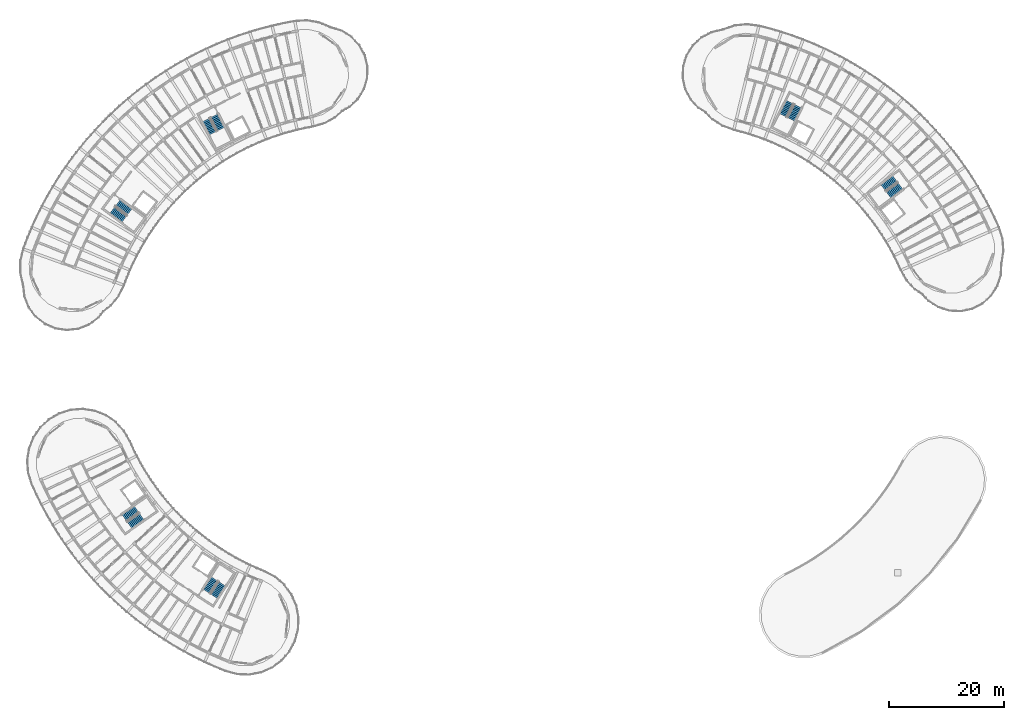
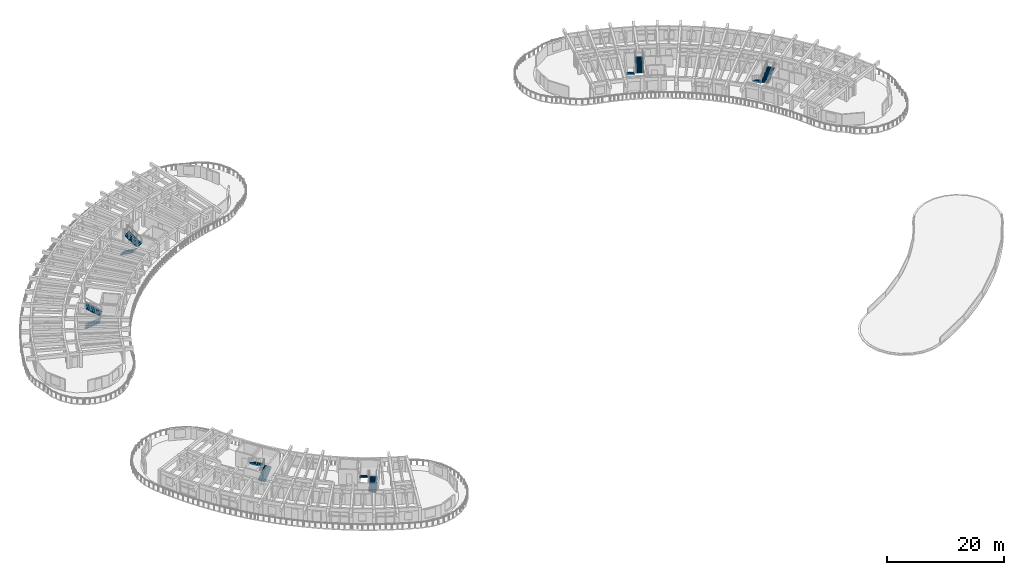
# One storey, part 45 of 62: 12 stair flights, 6 elements without a shape of their own.
"""IFC4 building model written with IfcOpenShell, lengths in metres."""

from ifc_helpers import new_model, si_unit, direction, frame, origin, place, context, subcontext, project, spatial, polyline, outline, extrude, material, layer, layer_set, type_object, element, aggregate, save


model = new_model("IFC4")

# Units and contexts
model_context = context("Model", 3, precision=1e-05, world=origin(), true_north=direction((0.0, 1.0)))
body_context = subcontext(model_context, "Body", "Model", "MODEL_VIEW")
ifc_project = project(units=[si_unit("LENGTHUNIT", "METRE"), si_unit("AREAUNIT", "SQUARE_METRE"), si_unit("VOLUMEUNIT", "CUBIC_METRE"), si_unit("PLANEANGLEUNIT", "RADIAN"), si_unit("MASSUNIT", "GRAM", prefix="KILO")], contexts=[model_context])

# Site, building, storey
site_placement = place(None, origin())
site = spatial("IfcSite", under=ifc_project, at=site_placement, CompositionType="ELEMENT")
building_placement = place(site_placement, origin())
building = spatial("IfcBuilding", under=site, at=building_placement, Name="Tanwirah Colonnade Gardens", CompositionType="ELEMENT")
storey_placement = place(building_placement, frame((0.0, 0.0, 32.360107421875)))
storey = spatial("IfcBuildingStorey", under=building, at=storey_placement, Name="L09", CompositionType="ELEMENT", Elevation=32.360107421875)

# Stair, stair flights
ifc_material = material(Name="Precast concrete C40/50", Category="concrete")
stair_type = type_object("IfcStairType", Name="ST-RES168", PredefinedType="HALF_TURN_STAIR", material=ifc_material)
stair_1_placement = place(storey_placement, origin())
stair_1 = element("IfcStair", 1, at=stair_1_placement, inside=storey, type_object=stair_type, Name="L09 Block A Core 1 Exit Stair", PredefinedType="HALF_TURN_STAIR")
ifc_layer = layer(ifc_material, 0.14990234375)
ifc_layer_set = layer_set([ifc_layer], Name="Precast concrete C40/50")
stair_flight_type = type_object("IfcStairFlightType", Name="FLT-RES150", PredefinedType="STRAIGHT", material=ifc_layer_set)
stair_flight_1_placement = place(storey_placement, frame((39.148681640625, 103.425048828125, 0.0), z_axis=(0.0, 0.0, 1.0), x_axis=(0.45399049974, -0.891006524188, 0.0)))
stair_flight_1 = element("IfcStairFlight", 2, at=stair_flight_1_placement, type_object=stair_flight_type, Name="ST-A1 flight 1", NumberOfRisers=10, NumberOfTreads=9, PredefinedType="STRAIGHT", RiserHeight=0.168, TreadLength=0.285, context=body_context, shape_type="SweptSolid", body=[
    extrude(outline(polyline([(-0.0048828125, 0.0), (0.0, 0.16796875), (0.284912109375, 0.16796875), (0.284912109375, 0.3359375), (0.570068359375, 0.3359375), (0.570068359375, 0.50390625), (0.85498046875, 0.50390625), (0.85498046875, 0.672119140625), (1.139892578125, 0.672119140625), (1.139892578125, 0.840087890625), (1.425048828125, 0.840087890625), (1.425048828125, 1.008056640625), (1.7099609375, 1.008056640625), (1.7099609375, 1.176025390625), (1.9951171875, 1.176025390625), (1.9951171875, 1.343994140625), (2.280029296875, 1.343994140625), (2.280029296875, 1.511962890625), (2.56494140625, 1.511962890625), (2.570068359375, 1.679931640625), (2.570068359375, 1.337890625), (0.30029296875, 0.0), (-0.0048828125, 0.0)])), frame((0.0, 0.68994140625, 0.0), z_axis=(0.0, -1.0, 0.0), x_axis=(1.0, 0.0, 0.0)), (0.0, 0.0, 1.0), 1.3798828125),
])
stair_flight_2_placement = place(storey_placement, frame((41.685302734375, 101.838623046875, 1.679931640625), z_axis=(0.0, 0.0, 1.0), x_axis=(-0.45399049974, 0.891006524188, 0.0)))
stair_flight_2 = element("IfcStairFlight", 3, at=stair_flight_2_placement, type_object=stair_flight_type, Name="ST-A1 flight 2", NumberOfRisers=10, NumberOfTreads=9, PredefinedType="STRAIGHT", RiserHeight=0.168, TreadLength=0.285, context=body_context, shape_type="SweptSolid", body=[
    extrude(outline(polyline([(-0.0048828125, 0.0), (0.0, 0.16796875), (0.284912109375, 0.16796875), (0.284912109375, 0.3359375), (0.570068359375, 0.3359375), (0.570068359375, 0.50390625), (0.85498046875, 0.50390625), (0.85498046875, 0.672119140625), (1.139892578125, 0.672119140625), (1.139892578125, 0.840087890625), (1.425048828125, 0.840087890625), (1.425048828125, 1.008056640625), (1.7099609375, 1.008056640625), (1.7099609375, 1.176025390625), (1.9951171875, 1.176025390625), (1.9951171875, 1.343994140625), (2.280029296875, 1.343994140625), (2.280029296875, 1.511962890625), (2.56494140625, 1.511962890625), (2.570068359375, 1.679931640625), (2.570068359375, 1.337890625), (0.30029296875, 0.0), (-0.0048828125, 0.0)])), frame((0.0, 0.68994140625, 0.0), z_axis=(0.0, -1.0, 0.0), x_axis=(1.0, 0.0, 0.0)), (0.0, 0.0, 1.0), 1.3798828125),
])
aggregate(stair_1, [stair_flight_1, stair_flight_2])

stair_2_placement = place(storey_placement, origin())
stair_2 = element("IfcStair", 4, at=stair_2_placement, inside=storey, type_object=stair_type, Name="L09 Block A Core 2 Exit Stair", PredefinedType="HALF_TURN_STAIR")
stair_flight_3_placement = place(storey_placement, frame((22.81640625, 87.7177734375, 0.0), z_axis=(0.0, 0.0, 1.0), x_axis=(0.798635510047, -0.601815023152, 0.0)))
stair_flight_3 = element("IfcStairFlight", 5, at=stair_flight_3_placement, type_object=stair_flight_type, Name="ST-A2 flight 1", NumberOfRisers=10, NumberOfTreads=9, PredefinedType="STRAIGHT", RiserHeight=0.168, TreadLength=0.285, context=body_context, shape_type="SweptSolid", body=[
    extrude(outline(polyline([(-0.0048828125, 0.0), (0.0, 0.16796875), (0.284912109375, 0.16796875), (0.284912109375, 0.3359375), (0.570068359375, 0.3359375), (0.570068359375, 0.50390625), (0.85498046875, 0.50390625), (0.85498046875, 0.672119140625), (1.139892578125, 0.672119140625), (1.139892578125, 0.840087890625), (1.425048828125, 0.840087890625), (1.425048828125, 1.008056640625), (1.7099609375, 1.008056640625), (1.7099609375, 1.176025390625), (1.9951171875, 1.176025390625), (1.9951171875, 1.343994140625), (2.280029296875, 1.343994140625), (2.280029296875, 1.511962890625), (2.56494140625, 1.511962890625), (2.570068359375, 1.679931640625), (2.570068359375, 1.337890625), (0.30029296875, 0.0), (-0.0048828125, 0.0)])), frame((0.0, 0.68994140625, 0.0), z_axis=(0.0, -1.0, 0.0), x_axis=(1.0, 0.0, 0.0)), (0.0, 0.0, 1.0), 1.3798828125),
])
stair_flight_4_placement = place(storey_placement, frame((25.791748046875, 87.404052734375, 1.679931640625), z_axis=(0.0, 0.0, 1.0), x_axis=(-0.798635510047, 0.601815023152, 0.0)))
stair_flight_4 = element("IfcStairFlight", 6, at=stair_flight_4_placement, type_object=stair_flight_type, Name="ST-A2 flight 2", NumberOfRisers=10, NumberOfTreads=9, PredefinedType="STRAIGHT", RiserHeight=0.168, TreadLength=0.285, context=body_context, shape_type="SweptSolid", body=[
    extrude(outline(polyline([(-0.0048828125, 0.0), (0.0, 0.16796875), (0.284912109375, 0.16796875), (0.284912109375, 0.3359375), (0.570068359375, 0.3359375), (0.570068359375, 0.50390625), (0.85498046875, 0.50390625), (0.85498046875, 0.672119140625), (1.139892578125, 0.672119140625), (1.139892578125, 0.840087890625), (1.425048828125, 0.840087890625), (1.425048828125, 1.008056640625), (1.7099609375, 1.008056640625), (1.7099609375, 1.176025390625), (1.9951171875, 1.176025390625), (1.9951171875, 1.343994140625), (2.280029296875, 1.343994140625), (2.280029296875, 1.511962890625), (2.56494140625, 1.511962890625), (2.570068359375, 1.679931640625), (2.570068359375, 1.337890625), (0.30029296875, 0.0), (-0.0048828125, 0.0)])), frame((0.0, 0.68994140625, 0.0), z_axis=(0.0, -1.0, 0.0), x_axis=(1.0, 0.0, 0.0)), (0.0, 0.0, 1.0), 1.3798828125),
])
aggregate(stair_2, [stair_flight_3, stair_flight_4])

stair_3_placement = place(storey_placement, origin())
stair_3 = element("IfcStair", 7, at=stair_3_placement, inside=storey, type_object=stair_type, Name="L09 Block B Core 1 Exit Stair", PredefinedType="HALF_TURN_STAIR")
stair_flight_5_placement = place(storey_placement, frame((159.079345703125, 93.16455078125, 0.0), z_axis=(0.0, 0.0, 1.0), x_axis=(-0.798635510047, -0.601815023152, 0.0)))
stair_flight_5 = element("IfcStairFlight", 8, at=stair_flight_5_placement, type_object=stair_flight_type, Name="ST-B1 flight 1", NumberOfRisers=10, NumberOfTreads=9, PredefinedType="STRAIGHT", RiserHeight=0.168, TreadLength=0.285, context=body_context, shape_type="SweptSolid", body=[
    extrude(outline(polyline([(-0.0048828125, 0.0), (0.0, 0.16796875), (0.284912109375, 0.16796875), (0.284912109375, 0.3359375), (0.570068359375, 0.3359375), (0.570068359375, 0.50390625), (0.85498046875, 0.50390625), (0.85498046875, 0.672119140625), (1.139892578125, 0.672119140625), (1.139892578125, 0.840087890625), (1.425048828125, 0.840087890625), (1.425048828125, 1.008056640625), (1.7099609375, 1.008056640625), (1.7099609375, 1.176025390625), (1.9951171875, 1.176025390625), (1.9951171875, 1.343994140625), (2.280029296875, 1.343994140625), (2.280029296875, 1.511962890625), (2.56494140625, 1.511962890625), (2.570068359375, 1.679931640625), (2.570068359375, 1.337890625), (0.30029296875, 0.0), (-0.0048828125, 0.0)])), frame((0.0, 0.68994140625, 0.0), z_axis=(0.0, -1.0, 0.0), x_axis=(1.0, 0.0, 0.0)), (0.0, 0.0, 1.0), 1.3798828125),
])
stair_flight_6_placement = place(storey_placement, frame((157.95751953125, 90.39111328125, 1.679931640625), z_axis=(0.0, 0.0, 1.0), x_axis=(0.798635510047, 0.601815023152, 0.0)))
stair_flight_6 = element("IfcStairFlight", 9, at=stair_flight_6_placement, type_object=stair_flight_type, Name="ST-B1 flight 2", NumberOfRisers=10, NumberOfTreads=9, PredefinedType="STRAIGHT", RiserHeight=0.168, TreadLength=0.285, context=body_context, shape_type="SweptSolid", body=[
    extrude(outline(polyline([(-0.0048828125, 0.0), (0.0, 0.16796875), (0.284912109375, 0.16796875), (0.284912109375, 0.3359375), (0.570068359375, 0.3359375), (0.570068359375, 0.50390625), (0.85498046875, 0.50390625), (0.85498046875, 0.672119140625), (1.139892578125, 0.672119140625), (1.139892578125, 0.840087890625), (1.425048828125, 0.840087890625), (1.425048828125, 1.008056640625), (1.7099609375, 1.008056640625), (1.7099609375, 1.176025390625), (1.9951171875, 1.176025390625), (1.9951171875, 1.343994140625), (2.280029296875, 1.343994140625), (2.280029296875, 1.511962890625), (2.56494140625, 1.511962890625), (2.570068359375, 1.679931640625), (2.570068359375, 1.337890625), (0.30029296875, 0.0), (-0.0048828125, 0.0)])), frame((0.0, 0.68994140625, 0.0), z_axis=(0.0, -1.0, 0.0), x_axis=(1.0, 0.0, 0.0)), (0.0, 0.0, 1.0), 1.3798828125),
])
aggregate(stair_3, [stair_flight_5, stair_flight_6])

stair_4_placement = place(storey_placement, origin())
stair_4 = element("IfcStair", 10, at=stair_4_placement, inside=storey, type_object=stair_type, Name="L09 Block B Core 2 Exit Stair", PredefinedType="HALF_TURN_STAIR")
stair_flight_7_placement = place(storey_placement, frame((140.774658203125, 106.521240234375, 0.0), z_axis=(0.0, 0.0, 1.0), x_axis=(-0.45399049974, -0.891006524188, 0.0)))
stair_flight_7 = element("IfcStairFlight", 11, at=stair_flight_7_placement, type_object=stair_flight_type, Name="ST-B2 flight 1", NumberOfRisers=10, NumberOfTreads=9, PredefinedType="STRAIGHT", RiserHeight=0.168, TreadLength=0.285, context=body_context, shape_type="SweptSolid", body=[
    extrude(outline(polyline([(-0.0048828125, 0.0), (0.0, 0.16796875), (0.284912109375, 0.16796875), (0.284912109375, 0.3359375), (0.570068359375, 0.3359375), (0.570068359375, 0.50390625), (0.85498046875, 0.50390625), (0.85498046875, 0.672119140625), (1.139892578125, 0.672119140625), (1.139892578125, 0.840087890625), (1.425048828125, 0.840087890625), (1.425048828125, 1.008056640625), (1.7099609375, 1.008056640625), (1.7099609375, 1.176025390625), (1.9951171875, 1.176025390625), (1.9951171875, 1.343994140625), (2.280029296875, 1.343994140625), (2.280029296875, 1.511962890625), (2.56494140625, 1.511962890625), (2.570068359375, 1.679931640625), (2.570068359375, 1.337890625), (0.30029296875, 0.0), (-0.0048828125, 0.0)])), frame((0.0, 0.68994140625, 0.0), z_axis=(0.0, -1.0, 0.0), x_axis=(1.0, 0.0, 0.0)), (0.0, 0.0, 1.0), 1.3798828125),
])
stair_flight_8_placement = place(storey_placement, frame((140.982421875, 103.53662109375, 1.679931640625), z_axis=(0.0, 0.0, 1.0), x_axis=(0.45399049974, 0.891006524188, 0.0)))
stair_flight_8 = element("IfcStairFlight", 12, at=stair_flight_8_placement, type_object=stair_flight_type, Name="ST-B2 flight 2", NumberOfRisers=10, NumberOfTreads=9, PredefinedType="STRAIGHT", RiserHeight=0.168, TreadLength=0.285, context=body_context, shape_type="SweptSolid", body=[
    extrude(outline(polyline([(-0.0048828125, 0.0), (0.0, 0.16796875), (0.284912109375, 0.16796875), (0.284912109375, 0.3359375), (0.570068359375, 0.3359375), (0.570068359375, 0.50390625), (0.85498046875, 0.50390625), (0.85498046875, 0.672119140625), (1.139892578125, 0.672119140625), (1.139892578125, 0.840087890625), (1.425048828125, 0.840087890625), (1.425048828125, 1.008056640625), (1.7099609375, 1.008056640625), (1.7099609375, 1.176025390625), (1.9951171875, 1.176025390625), (1.9951171875, 1.343994140625), (2.280029296875, 1.343994140625), (2.280029296875, 1.511962890625), (2.56494140625, 1.511962890625), (2.570068359375, 1.679931640625), (2.570068359375, 1.337890625), (0.30029296875, 0.0), (-0.0048828125, 0.0)])), frame((0.0, 0.68994140625, 0.0), z_axis=(0.0, -1.0, 0.0), x_axis=(1.0, 0.0, 0.0)), (0.0, 0.0, 1.0), 1.3798828125),
])
aggregate(stair_4, [stair_flight_7, stair_flight_8])

stair_5_placement = place(storey_placement, origin())
stair_5 = element("IfcStair", 13, at=stair_5_placement, inside=storey, type_object=stair_type, Name="L09 Block C Core 1 Exit Stair", PredefinedType="HALF_TURN_STAIR")
stair_flight_9_placement = place(storey_placement, frame((25.79345703125, 32.884521484375, 0.0), z_axis=(0.0, 0.0, 1.0), x_axis=(0.819152044289, 0.573576436351, 0.0)))
stair_flight_9 = element("IfcStairFlight", 14, at=stair_flight_9_placement, type_object=stair_flight_type, Name="ST-C1 flight 1", NumberOfRisers=10, NumberOfTreads=9, PredefinedType="STRAIGHT", RiserHeight=0.168, TreadLength=0.285, context=body_context, shape_type="SweptSolid", body=[
    extrude(outline(polyline([(-0.0048828125, 0.0), (0.0, 0.16796875), (0.284912109375, 0.16796875), (0.284912109375, 0.3359375), (0.570068359375, 0.3359375), (0.570068359375, 0.50390625), (0.85498046875, 0.50390625), (0.85498046875, 0.672119140625), (1.139892578125, 0.672119140625), (1.139892578125, 0.840087890625), (1.425048828125, 0.840087890625), (1.425048828125, 1.008056640625), (1.7099609375, 1.008056640625), (1.7099609375, 1.176025390625), (1.9951171875, 1.176025390625), (1.9951171875, 1.343994140625), (2.280029296875, 1.343994140625), (2.280029296875, 1.511962890625), (2.56494140625, 1.511962890625), (2.570068359375, 1.679931640625), (2.570068359375, 1.337890625), (0.30029296875, 0.0), (-0.0048828125, 0.0)])), frame((0.0, 0.68994140625, 0.0), z_axis=(0.0, -1.0, 0.0), x_axis=(1.0, 0.0, 0.0)), (0.0, 0.0, 1.0), 1.3798828125),
])
stair_flight_10_placement = place(storey_placement, frame((27.01123046875, 35.6171875, 1.679931640625), z_axis=(0.0, 0.0, 1.0), x_axis=(-0.819152044289, -0.573576436351, 0.0)))
stair_flight_10 = element("IfcStairFlight", 15, at=stair_flight_10_placement, type_object=stair_flight_type, Name="ST-C1 flight 2", NumberOfRisers=10, NumberOfTreads=9, PredefinedType="STRAIGHT", RiserHeight=0.168, TreadLength=0.285, context=body_context, shape_type="SweptSolid", body=[
    extrude(outline(polyline([(-0.0048828125, 0.0), (0.0, 0.16796875), (0.284912109375, 0.16796875), (0.284912109375, 0.3359375), (0.570068359375, 0.3359375), (0.570068359375, 0.50390625), (0.85498046875, 0.50390625), (0.85498046875, 0.672119140625), (1.139892578125, 0.672119140625), (1.139892578125, 0.840087890625), (1.425048828125, 0.840087890625), (1.425048828125, 1.008056640625), (1.7099609375, 1.008056640625), (1.7099609375, 1.176025390625), (1.9951171875, 1.176025390625), (1.9951171875, 1.343994140625), (2.280029296875, 1.343994140625), (2.280029296875, 1.511962890625), (2.56494140625, 1.511962890625), (2.570068359375, 1.679931640625), (2.570068359375, 1.337890625), (0.30029296875, 0.0), (-0.0048828125, 0.0)])), frame((0.0, 0.68994140625, 0.0), z_axis=(0.0, -1.0, 0.0), x_axis=(1.0, 0.0, 0.0)), (0.0, 0.0, 1.0), 1.3798828125),
])
aggregate(stair_5, [stair_flight_9, stair_flight_10])

stair_6_placement = place(storey_placement, origin())
stair_6 = element("IfcStair", 16, at=stair_6_placement, inside=storey, type_object=stair_type, Name="L09 Block C Core 2 Exit Stair", PredefinedType="HALF_TURN_STAIR")
stair_flight_11_placement = place(storey_placement, frame((40.49169921875, 20.49951171875, 0.0), z_axis=(0.0, 0.0, 1.0), x_axis=(0.544639035015, 0.838670567945, 0.0)))
stair_flight_11 = element("IfcStairFlight", 17, at=stair_flight_11_placement, type_object=stair_flight_type, Name="ST-C2 flight 1", NumberOfRisers=10, NumberOfTreads=9, PredefinedType="STRAIGHT", RiserHeight=0.168, TreadLength=0.285, context=body_context, shape_type="SweptSolid", body=[
    extrude(outline(polyline([(-0.0048828125, 0.0), (0.0, 0.16796875), (0.284912109375, 0.16796875), (0.284912109375, 0.3359375), (0.570068359375, 0.3359375), (0.570068359375, 0.50390625), (0.85498046875, 0.50390625), (0.85498046875, 0.672119140625), (1.139892578125, 0.672119140625), (1.139892578125, 0.840087890625), (1.425048828125, 0.840087890625), (1.425048828125, 1.008056640625), (1.7099609375, 1.008056640625), (1.7099609375, 1.176025390625), (1.9951171875, 1.176025390625), (1.9951171875, 1.343994140625), (2.280029296875, 1.343994140625), (2.280029296875, 1.511962890625), (2.56494140625, 1.511962890625), (2.570068359375, 1.679931640625), (2.570068359375, 1.337890625), (0.30029296875, 0.0), (-0.0048828125, 0.0)])), frame((0.0, 0.68994140625, 0.0), z_axis=(0.0, -1.0, 0.0), x_axis=(1.0, 0.0, 0.0)), (0.0, 0.0, 1.0), 1.3798828125),
])
stair_flight_12_placement = place(storey_placement, frame((40.59716796875, 23.489501953125, 1.679931640625), z_axis=(0.0, 0.0, 1.0), x_axis=(-0.544639035015, -0.838670567945, 0.0)))
stair_flight_12 = element("IfcStairFlight", 18, at=stair_flight_12_placement, type_object=stair_flight_type, Name="ST-C2 flight 2", NumberOfRisers=10, NumberOfTreads=9, PredefinedType="STRAIGHT", RiserHeight=0.168, TreadLength=0.285, context=body_context, shape_type="SweptSolid", body=[
    extrude(outline(polyline([(-0.0048828125, 0.0), (0.0, 0.16796875), (0.284912109375, 0.16796875), (0.284912109375, 0.3359375), (0.570068359375, 0.3359375), (0.570068359375, 0.50390625), (0.85498046875, 0.50390625), (0.85498046875, 0.672119140625), (1.139892578125, 0.672119140625), (1.139892578125, 0.840087890625), (1.425048828125, 0.840087890625), (1.425048828125, 1.008056640625), (1.7099609375, 1.008056640625), (1.7099609375, 1.176025390625), (1.9951171875, 1.176025390625), (1.9951171875, 1.343994140625), (2.280029296875, 1.343994140625), (2.280029296875, 1.511962890625), (2.56494140625, 1.511962890625), (2.570068359375, 1.679931640625), (2.570068359375, 1.337890625), (0.30029296875, 0.0), (-0.0048828125, 0.0)])), frame((0.0, 0.68994140625, 0.0), z_axis=(0.0, -1.0, 0.0), x_axis=(1.0, 0.0, 0.0)), (0.0, 0.0, 1.0), 1.3798828125),
])
aggregate(stair_6, [stair_flight_11, stair_flight_12])

save(model, "model.ifc")
